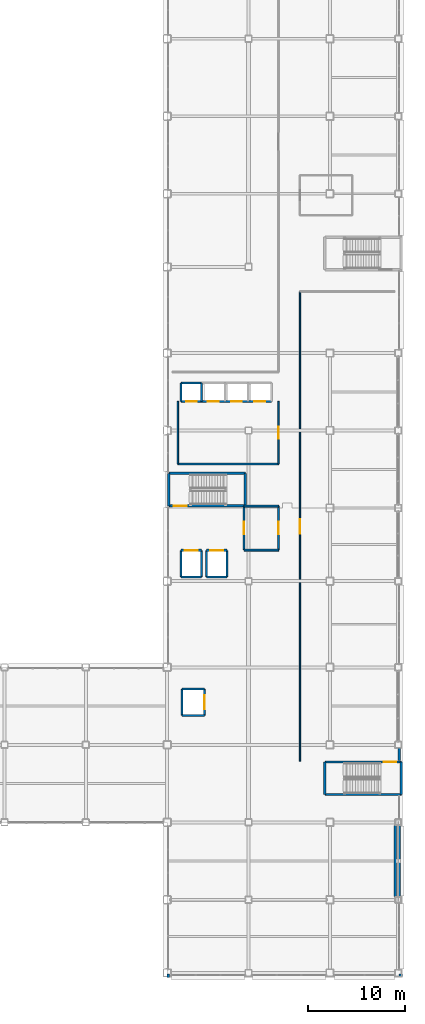
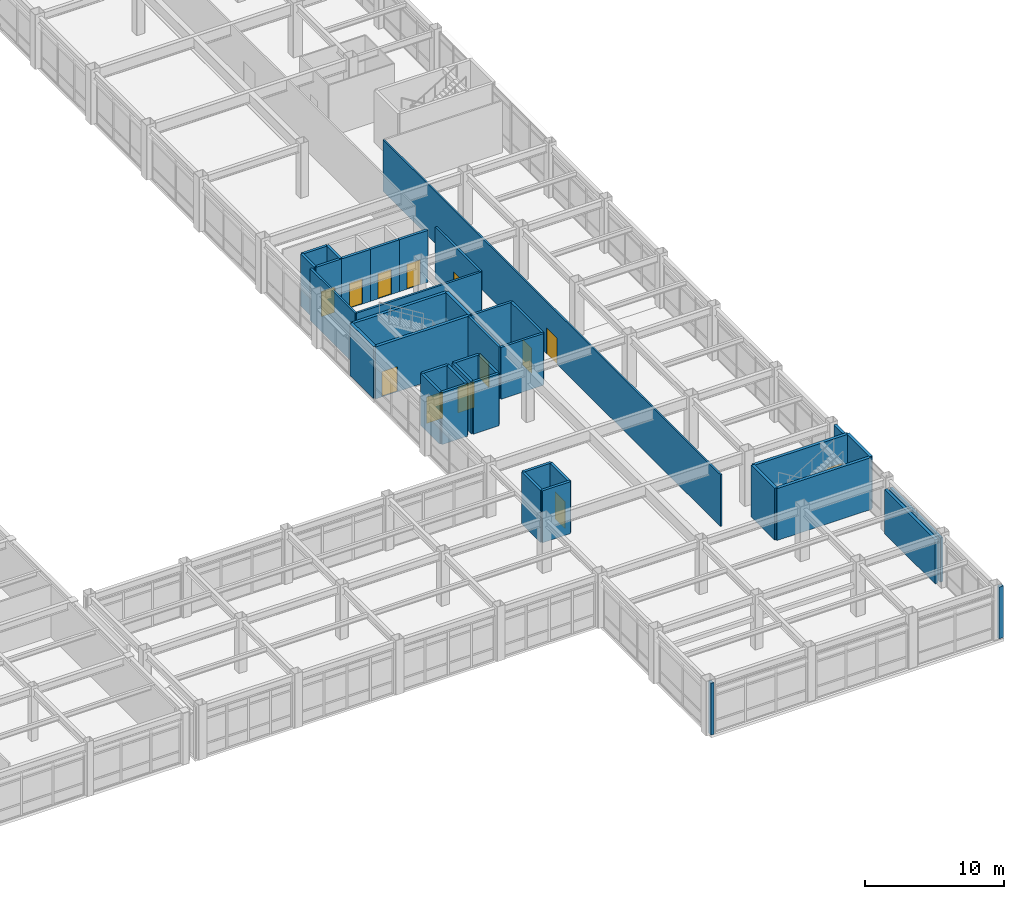
# One storey, part 136 of 154: 40 walls, 13 doors, 13 openings.
"""IFC4 building model written with IfcOpenShell, lengths in metres."""

from ifc_helpers import new_model, si_unit, direction, frame, frame_2d, origin, place, context, subcontext, project, spatial, rectangle, extrude, material, layer, layer_set, type_object, element, fill, save


model = new_model("IFC4")

# Units and contexts
model_context = context("Model", 3, precision=1e-05, world=origin(), true_north=direction((0.0, 1.0)))
body_context = subcontext(model_context, "Body", "Model", "MODEL_VIEW")
ifc_project = project(units=[si_unit("LENGTHUNIT", "METRE"), si_unit("AREAUNIT", "SQUARE_METRE"), si_unit("VOLUMEUNIT", "CUBIC_METRE"), si_unit("PLANEANGLEUNIT", "RADIAN"), si_unit("MASSUNIT", "GRAM", prefix="KILO")], contexts=[model_context])

# Site, building, storey
site_placement = place(None, origin())
site = spatial("IfcSite", under=ifc_project, at=site_placement, CompositionType="ELEMENT")
building_placement = place(site_placement, origin())
building = spatial("IfcBuilding", under=site, at=building_placement, Name="Kazehara Bluff Congress Hotel", CompositionType="ELEMENT")
storey_placement = place(building_placement, frame((0.0, 0.0, 10.199951171875)))
storey = spatial("IfcBuildingStorey", under=building, at=storey_placement, Name="L02", CompositionType="ELEMENT", Elevation=10.199951171875)

# Walls
ifc_material_1 = material(Name="Concrete C40/50", Category="concrete")
ifc_layer_1 = layer(ifc_material_1, 0.25)
ifc_layer_set_1 = layer_set([ifc_layer_1], Name="Concrete C40/50")
wall_type_1 = type_object("IfcWallType", Name="TP-CW-RC", PredefinedType="SHEAR", material=ifc_layer_set_1)
for number, where, z_axis, x_axis, name in (
    (1, (167.875, 22.22509765625, 0.0), (0.0, 0.0, 1.0), (0.0, -1.0, 0.0), "L02 ST-10 core wall near"),
    (2, (159.97509765625, 18.875, 0.0), (0.0, 0.0, 1.0), (0.0, 1.0, 0.0), "L02 ST-10 core wall far"),
):
    element("IfcWall", number, at=place(storey_placement, frame(where, z_axis=z_axis, x_axis=x_axis)), inside=storey, type_object=wall_type_1, Name=name, PredefinedType="SHEAR", context=body_context, shape_type="SweptSolid", body=[
        extrude(rectangle(XDim=3.35009765625, YDim=0.25, at=frame_2d((1.675048828125, 0.0))), origin(), (0.0, 0.0, 1.0), 4.56005859375),
    ])

# Wall, opening, door
wall_1_placement = place(storey_placement, frame((159.97509765625, 22.22509765625, 0.0), z_axis=(0.0, 0.0, 1.0), x_axis=(1.0, 0.0, 0.0)))
wall_1 = element("IfcWall", 3, at=wall_1_placement, inside=storey, type_object=wall_type_1, Name="L02 ST-10 core wall left", PredefinedType="SHEAR", context=body_context, shape_type="SweptSolid", body=[
    extrude(rectangle(XDim=7.89990234375, YDim=0.25, at=frame_2d((3.949951171875, 0.0))), origin(), (0.0, 0.0, 1.0), 4.56005859375),
])
opening_1_placement = place(wall_1_placement, frame((6.074951171875, 0.0, 0.0)))
opening_1 = element("IfcOpeningElement", 4, at=opening_1_placement, cuts=wall_1, Name="Opening FD-01", PredefinedType="OPENING", context=body_context, shape_type="SweptSolid", body=[
    extrude(rectangle(XDim=1.300048828125, YDim=2.199951171875, at=frame_2d((0.64990234375, 1.10009765625))), frame((0.0, 0.135009765625, 0.0), z_axis=(0.0, -1.0, 0.0), x_axis=(1.0, 0.0, 0.0)), (0.0, 0.0, 1.0), 0.27001953125),
])
ifc_material_2 = material(Name="Fire-rated painted steel leaf", Category="steel")
door_type_1 = type_object("IfcDoorType", Name="TP-FD-01", OperationType="NOTDEFINED", PredefinedType="DOOR", material=ifc_material_2)
door_1_placement = place(opening_1_placement, origin())
door_1 = element("IfcDoor", 5, at=door_1_placement, inside=storey, type_object=door_type_1, Name="L02 ST-10 fire stair door", OperationType="SINGLE_SWING_RIGHT", OverallHeight=2.199951171875, OverallWidth=1.300048828125, PredefinedType="DOOR", context=body_context, shape_type="SweptSolid", body=[
    extrude(rectangle(XDim=1.300048828125, YDim=2.199951171875, at=frame_2d((0.64990234375, 1.10009765625))), frame((0.0, 0.02490234375, 0.0), z_axis=(0.0, -1.0, 0.0), x_axis=(1.0, 0.0, 0.0)), (0.0, 0.0, 1.0), 0.050048828125),
])
fill(opening_1, door_1)

# Walls
wall_2_placement = place(storey_placement, frame((167.875, 18.875, 0.0), z_axis=(0.0, 0.0, 1.0), x_axis=(-1.0, 0.0, 0.0)))
element("IfcWall", 6, at=wall_2_placement, inside=storey, type_object=wall_type_1, Name="L02 ST-10 core wall right", PredefinedType="SHEAR", context=body_context, shape_type="SweptSolid", body=[
    extrude(rectangle(XDim=7.89990234375, YDim=0.25, at=frame_2d((3.949951171875, 0.0))), origin(), (0.0, 0.0, 1.0), 4.56005859375),
])
for number, where, z_axis, x_axis, name in (
    (7, (143.875, 48.675048828125, 0.0), (0.0, 0.0, 1.0), (0.0, 1.0, 0.0), "L02 ST-11 core wall near"),
    (8, (151.77490234375, 52.02490234375, 0.0), (0.0, 0.0, 1.0), (0.0, -1.0, 0.0), "L02 ST-11 core wall far"),
):
    element("IfcWall", number, at=place(storey_placement, frame(where, z_axis=z_axis, x_axis=x_axis)), inside=storey, type_object=wall_type_1, Name=name, PredefinedType="SHEAR", context=body_context, shape_type="SweptSolid", body=[
        extrude(rectangle(XDim=3.349853515625, YDim=0.25, at=frame_2d((1.6748046875, 0.0))), origin(), (0.0, 0.0, 1.0), 4.56005859375),
    ])

# Wall, opening, door
wall_3_placement = place(storey_placement, frame((151.77490234375, 48.675048828125, 0.0), z_axis=(0.0, 0.0, 1.0), x_axis=(-1.0, 0.0, 0.0)))
wall_3 = element("IfcWall", 9, at=wall_3_placement, inside=storey, type_object=wall_type_1, Name="L02 ST-11 core wall left", PredefinedType="SHEAR", context=body_context, shape_type="SweptSolid", body=[
    extrude(rectangle(XDim=7.89990234375, YDim=0.25, at=frame_2d((3.949951171875, 0.0))), origin(), (0.0, 0.0, 1.0), 4.56005859375),
])
opening_2_placement = place(wall_3_placement, frame((6.074951171875, 0.0, 0.0)))
opening_2 = element("IfcOpeningElement", 10, at=opening_2_placement, cuts=wall_3, Name="Opening FD-01", PredefinedType="OPENING", context=body_context, shape_type="SweptSolid", body=[
    extrude(rectangle(XDim=1.300048828125, YDim=2.199951171875, at=frame_2d((0.64990234375, 1.10009765625))), frame((0.0, 0.135009765625, 0.0), z_axis=(0.0, -1.0, 0.0), x_axis=(1.0, 0.0, 0.0)), (0.0, 0.0, 1.0), 0.27001953125),
])
door_2_placement = place(opening_2_placement, origin())
door_2 = element("IfcDoor", 11, at=door_2_placement, inside=storey, type_object=door_type_1, Name="L02 ST-11 fire stair door", OperationType="SINGLE_SWING_LEFT", OverallHeight=2.199951171875, OverallWidth=1.300048828125, PredefinedType="DOOR", context=body_context, shape_type="SweptSolid", body=[
    extrude(rectangle(XDim=1.300048828125, YDim=2.199951171875, at=frame_2d((0.64990234375, 1.10009765625))), frame((0.0, 0.02490234375, 0.0), z_axis=(0.0, -1.0, 0.0), x_axis=(1.0, 0.0, 0.0)), (0.0, 0.0, 1.0), 0.050048828125),
])
fill(opening_2, door_2)

# Walls
wall_4_placement = place(storey_placement, frame((143.875, 52.02490234375, 0.0), z_axis=(0.0, 0.0, 1.0), x_axis=(1.0, 0.0, 0.0)))
element("IfcWall", 12, at=wall_4_placement, inside=storey, type_object=wall_type_1, Name="L02 ST-11 core wall right", PredefinedType="SHEAR", context=body_context, shape_type="SweptSolid", body=[
    extrude(rectangle(XDim=7.89990234375, YDim=0.25, at=frame_2d((3.949951171875, 0.0))), origin(), (0.0, 0.0, 1.0), 4.56005859375),
])
ifc_material_3 = material(Name="Precast concrete C40/50", Category="concrete")
ifc_layer_2 = layer(ifc_material_3, 0.239990234375)
ifc_layer_set_2 = layer_set([ifc_layer_2], Name="Precast concrete C40/50")
wall_type_2 = type_object("IfcWallType", Name="TP-EW-240", PredefinedType="SOLIDWALL", material=ifc_layer_set_2)
wall_5_placement = place(storey_placement, frame((167.22998046875, 8.35009765625, 0.0), z_axis=(0.0, 0.0, 1.0), x_axis=(0.0, 1.0, 0.0)))
element("IfcWall", 13, at=wall_5_placement, inside=storey, type_object=wall_type_2, Name="L02 braced-bay recessed facade wall 2", PredefinedType="SOLIDWALL", context=body_context, shape_type="SweptSolid", body=[
    extrude(rectangle(XDim=7.2998046875, YDim=0.239990234375, at=frame_2d((3.64990234375, 0.0))), origin(), (0.0, 0.0, 1.0), 3.885009765625),
])
wall_6_placement = place(storey_placement, frame((168.0, 0.219970703125, 0.0), z_axis=(0.0, 0.0, 1.0), x_axis=(-1.0, 0.0, 0.0)))
element("IfcWall", 14, at=wall_6_placement, inside=storey, type_object=wall_type_2, Name="L02 V5 perimeter spandrel pier 662", PredefinedType="SOLIDWALL", context=body_context, shape_type="SweptSolid", body=[
    extrude(rectangle(XDim=0.360107421875, YDim=0.239990234375, at=frame_2d((0.18017578125, 0.0))), origin(), (0.0, 0.0, 1.0), 4.545166015625),
])
wall_7_placement = place(storey_placement, frame((167.64990234375, 15.64990234375, 0.0), z_axis=(0.0, 0.0, 1.0), x_axis=(0.0, -1.0, 0.0)))
element("IfcWall", 15, at=wall_7_placement, inside=storey, type_object=wall_type_2, Name="L02 V5 perimeter spandrel pier 663", PredefinedType="SOLIDWALL", context=body_context, shape_type="SweptSolid", body=[
    extrude(rectangle(XDim=7.2998046875, YDim=0.239990234375, at=frame_2d((3.64990234375, 0.0))), origin(), (0.0, 0.0, 1.0), 3.885009765625),
])
wall_8_placement = place(storey_placement, frame((167.64990234375, 23.64990234375, 0.0), z_axis=(0.0, 0.0, 1.0), x_axis=(0.0, -1.0, 0.0)))
element("IfcWall", 16, at=wall_8_placement, inside=storey, type_object=wall_type_2, Name="L02 V5 perimeter spandrel pier 664", PredefinedType="SOLIDWALL", context=body_context, shape_type="SweptSolid", body=[
    extrude(rectangle(XDim=1.289794921875, YDim=0.239990234375, at=frame_2d((0.64501953125, 0.0))), origin(), (0.0, 0.0, 1.0), 4.545166015625),
])
wall_9_placement = place(storey_placement, frame((143.800048828125, 0.0, 0.0), z_axis=(0.0, 0.0, 1.0), x_axis=(0.0, 1.0, 0.0)))
element("IfcWall", 17, at=wall_9_placement, inside=storey, type_object=wall_type_2, Name="L02 V5 perimeter spandrel pier 671", PredefinedType="SOLIDWALL", context=body_context, shape_type="SweptSolid", body=[
    extrude(rectangle(XDim=0.360107421875, YDim=0.239990234375, at=frame_2d((0.18017578125, 0.0))), origin(), (0.0, 0.0, 1.0), 4.545166015625),
])
ifc_material_4 = material(Name="Concrete C40/50", Category="concrete")
ifc_layer_3 = layer(ifc_material_4, 0.199951171875)
ifc_layer_set_3 = layer_set([ifc_layer_3], Name="Concrete C40/50")
wall_type_3 = type_object("IfcWallType", Name="TP-FW-RC", PredefinedType="SOLIDWALL", material=ifc_layer_set_3)
for number, where, z_axis, x_axis, name in (
    (18, (151.64990234375, 44.10009765625, 0.0), (0.0, 0.0, 1.0), (1.0, 0.0, 0.0), "L02 partition FW-RC 202"),
    (19, (151.64990234375, 48.64990234375, 0.0), (0.0, 0.0, 1.0), (1.0, 0.0, 0.0), "L02 partition FW-RC 204"),
):
    element("IfcWall", number, at=place(storey_placement, frame(where, z_axis=z_axis, x_axis=x_axis)), inside=storey, type_object=wall_type_3, Name=name, PredefinedType="SOLIDWALL", context=body_context, shape_type="SweptSolid", body=[
        extrude(rectangle(XDim=3.550048828125, YDim=0.199951171875, at=frame_2d((1.77490234375, 0.0))), origin(), (0.0, 0.0, 1.0), 4.545166015625),
    ])

# Wall, opening, door
wall_10_placement = place(storey_placement, frame((151.64990234375, 44.10009765625, 0.0), z_axis=(0.0, 0.0, 1.0), x_axis=(0.0, 1.0, 0.0)))
wall_10 = element("IfcWall", 20, at=wall_10_placement, inside=storey, type_object=wall_type_3, Name="L02 partition FW-RC 239", PredefinedType="SOLIDWALL", context=body_context, shape_type="SweptSolid", body=[
    extrude(rectangle(XDim=4.5498046875, YDim=0.199951171875, at=frame_2d((2.27490234375, 0.0))), origin(), (0.0, 0.0, 1.0), 4.545166015625),
])
opening_3_placement = place(wall_10_placement, frame((1.625, 0.0, 0.0)))
opening_3 = element("IfcOpeningElement", 21, at=opening_3_placement, cuts=wall_10, Name="Opening FD-01", PredefinedType="OPENING", context=body_context, shape_type="SweptSolid", body=[
    extrude(rectangle(XDim=1.300048828125, YDim=2.199951171875, at=frame_2d((0.64990234375, 1.10009765625))), frame((0.0, 0.10986328125, 0.0), z_axis=(0.0, -1.0, 0.0), x_axis=(1.0, 0.0, 0.0)), (0.0, 0.0, 1.0), 0.219970703125),
])
door_3_placement = place(opening_3_placement, origin())
door_3 = element("IfcDoor", 22, at=door_3_placement, inside=storey, type_object=door_type_1, Name="L02 Emergency Firefighting Lobby door", OperationType="SINGLE_SWING_LEFT", OverallHeight=2.199951171875, OverallWidth=1.300048828125, PredefinedType="DOOR", context=body_context, shape_type="SweptSolid", body=[
    extrude(rectangle(XDim=1.300048828125, YDim=2.199951171875, at=frame_2d((0.64990234375, 1.10009765625))), frame((0.0, 0.02490234375, 0.0), z_axis=(0.0, -1.0, 0.0), x_axis=(1.0, 0.0, 0.0)), (0.0, 0.0, 1.0), 0.050048828125),
])
fill(opening_3, door_3)

wall_11_placement = place(storey_placement, frame((155.199951171875, 44.10009765625, 0.0), z_axis=(0.0, 0.0, 1.0), x_axis=(0.0, 1.0, 0.0)))
wall_11 = element("IfcWall", 23, at=wall_11_placement, inside=storey, type_object=wall_type_3, Name="L02 partition FW-RC 240", PredefinedType="SOLIDWALL", context=body_context, shape_type="SweptSolid", body=[
    extrude(rectangle(XDim=4.5498046875, YDim=0.199951171875, at=frame_2d((2.27490234375, 0.0))), origin(), (0.0, 0.0, 1.0), 4.545166015625),
])
opening_4_placement = place(wall_11_placement, frame((1.625, 0.0, 0.0)))
opening_4 = element("IfcOpeningElement", 24, at=opening_4_placement, cuts=wall_11, Name="Opening FD-01", PredefinedType="OPENING", context=body_context, shape_type="SweptSolid", body=[
    extrude(rectangle(XDim=1.300048828125, YDim=2.199951171875, at=frame_2d((0.64990234375, 1.10009765625))), frame((0.0, 0.10986328125, 0.0), z_axis=(0.0, -1.0, 0.0), x_axis=(1.0, 0.0, 0.0)), (0.0, 0.0, 1.0), 0.219970703125),
])
door_4_placement = place(opening_4_placement, origin())
door_4 = element("IfcDoor", 25, at=door_4_placement, inside=storey, type_object=door_type_1, Name="L02 Smoke Vestibule Lobby door", OperationType="SINGLE_SWING_RIGHT", OverallHeight=2.199951171875, OverallWidth=1.300048828125, PredefinedType="DOOR", context=body_context, shape_type="SweptSolid", body=[
    extrude(rectangle(XDim=1.300048828125, YDim=2.199951171875, at=frame_2d((0.64990234375, 1.10009765625))), frame((0.0, 0.02490234375, 0.0), z_axis=(0.0, -1.0, 0.0), x_axis=(1.0, 0.0, 0.0)), (0.0, 0.0, 1.0), 0.050048828125),
])
fill(opening_4, door_4)

ifc_material_5 = material(Name="Fire-rated gypsum board stud partition")
ifc_layer_4 = layer(ifc_material_5, 0.1298828125)
ifc_layer_set_4 = layer_set([ifc_layer_4], Name="Fire-rated gypsum board stud partition")
wall_type_4 = type_object("IfcWallType", Name="TP-PT-130", PredefinedType="PARTITIONING", material=ifc_layer_set_4)
wall_12_placement = place(storey_placement, frame((157.39990234375, 22.300048828125, 0.0), z_axis=(0.0, 0.0, 1.0), x_axis=(0.0, 1.0, 0.0)))
wall_12 = element("IfcWall", 26, at=wall_12_placement, inside=storey, type_object=wall_type_4, Name="L02 partition PT-130 243", PredefinedType="PARTITIONING", context=body_context, shape_type="SweptSolid", body=[
    extrude(rectangle(XDim=48.5, YDim=0.1298828125, at=frame_2d((24.25, 0.0))), origin(), (0.0, 0.0, 1.0), 4.545166015625),
])
opening_5_placement = place(wall_12_placement, frame((23.5, 0.0, 0.0)))
opening_5 = element("IfcOpeningElement", 27, at=opening_5_placement, cuts=wall_12, Name="Opening AD-01", PredefinedType="OPENING", context=body_context, shape_type="SweptSolid", body=[
    extrude(rectangle(XDim=1.5, YDim=2.300048828125, at=frame_2d((0.75, 1.14990234375))), frame((0.0, 0.074951171875, 0.0), z_axis=(0.0, -1.0, 0.0), x_axis=(1.0, 0.0, 0.0)), (0.0, 0.0, 1.0), 0.14990234375),
])
ifc_material_6 = material(Name="Architectural oak veneer leaf")
door_type_2 = type_object("IfcDoorType", Name="TP-AD-01", OperationType="DOUBLE_DOOR_SINGLE_SWING", PredefinedType="DOOR", material=ifc_material_6)
door_5_placement = place(opening_5_placement, origin())
door_5 = element("IfcDoor", 28, at=door_5_placement, inside=storey, type_object=door_type_2, Name="L02 Delegate Business and Press Lounge door", OperationType="DOUBLE_DOOR_SINGLE_SWING", OverallHeight=2.300048828125, OverallWidth=1.5, PredefinedType="DOOR", context=body_context, shape_type="SweptSolid", body=[
    extrude(rectangle(XDim=1.5, YDim=2.300048828125, at=frame_2d((0.75, 1.14990234375))), frame((0.0, 0.02490234375, 0.0), z_axis=(0.0, -1.0, 0.0), x_axis=(1.0, 0.0, 0.0)), (0.0, 0.0, 1.0), 0.050048828125),
])
fill(opening_5, door_5)

# Walls
ifc_material_7 = material(Name="Fire-rated gypsum board stud partition")
ifc_layer_5 = layer(ifc_material_7, 0.169921875)
ifc_layer_set_5 = layer_set([ifc_layer_5], Name="Fire-rated gypsum board stud partition")
wall_type_5 = type_object("IfcWallType", Name="TP-PT-180", PredefinedType="PARTITIONING", material=ifc_layer_set_5)
wall_13_placement = place(storey_placement, frame((144.800048828125, 53.0, 0.0), z_axis=(0.0, 0.0, 1.0), x_axis=(1.0, 0.0, 0.0)))
element("IfcWall", 29, at=wall_13_placement, inside=storey, type_object=wall_type_5, Name="L02 partition PT-180 206", PredefinedType="PARTITIONING", context=body_context, shape_type="SweptSolid", body=[
    extrude(rectangle(XDim=10.39990234375, YDim=0.169921875, at=frame_2d((5.199951171875, 0.0))), origin(), (0.0, 0.0, 1.0), 4.545166015625),
])
wall_14_placement = place(storey_placement, frame((144.800048828125, 53.0, 0.0), z_axis=(0.0, 0.0, 1.0), x_axis=(0.0, 1.0, 0.0)))
element("IfcWall", 30, at=wall_14_placement, inside=storey, type_object=wall_type_5, Name="L02 partition PT-180 238", PredefinedType="PARTITIONING", context=body_context, shape_type="SweptSolid", body=[
    extrude(rectangle(XDim=6.449951171875, YDim=0.169921875, at=frame_2d((3.22509765625, 0.0))), origin(), (0.0, 0.0, 1.0), 4.545166015625),
])

# Wall, opening, door
wall_15_placement = place(storey_placement, frame((155.199951171875, 53.0, 0.0), z_axis=(0.0, 0.0, 1.0), x_axis=(0.0, 1.0, 0.0)))
wall_15 = element("IfcWall", 31, at=wall_15_placement, inside=storey, type_object=wall_type_5, Name="L02 partition PT-180 241", PredefinedType="PARTITIONING", context=body_context, shape_type="SweptSolid", body=[
    extrude(rectangle(XDim=6.449951171875, YDim=0.169921875, at=frame_2d((3.22509765625, 0.0))), origin(), (0.0, 0.0, 1.0), 4.545166015625),
])
opening_6_placement = place(wall_15_placement, frame((2.625, 0.0, 0.0)))
opening_6 = element("IfcOpeningElement", 32, at=opening_6_placement, cuts=wall_15, Name="Opening FD-02", PredefinedType="OPENING", context=body_context, shape_type="SweptSolid", body=[
    extrude(rectangle(XDim=1.199951171875, YDim=2.199951171875, at=frame_2d((0.60009765625, 1.10009765625))), frame((0.0, 0.094970703125, 0.0), z_axis=(0.0, -1.0, 0.0), x_axis=(1.0, 0.0, 0.0)), (0.0, 0.0, 1.0), 0.18994140625),
])
ifc_material_8 = material(Name="Fire-rated painted steel leaf", Category="steel")
door_type_3 = type_object("IfcDoorType", Name="TP-FD-02", OperationType="NOTDEFINED", PredefinedType="DOOR", material=ifc_material_8)
door_6_placement = place(opening_6_placement, origin())
door_6 = element("IfcDoor", 33, at=door_6_placement, inside=storey, type_object=door_type_3, Name="L02 Hotel Passenger Lift Lobby door", OperationType="SINGLE_SWING_LEFT", OverallHeight=2.199951171875, OverallWidth=1.199951171875, PredefinedType="DOOR", context=body_context, shape_type="SweptSolid", body=[
    extrude(rectangle(XDim=1.199951171875, YDim=2.199951171875, at=frame_2d((0.60009765625, 1.10009765625))), frame((0.0, 0.02490234375, 0.0), z_axis=(0.0, -1.0, 0.0), x_axis=(1.0, 0.0, 0.0)), (0.0, 0.0, 1.0), 0.050048828125),
])
fill(opening_6, door_6)

ifc_material_9 = material(Name="Concrete C40/50", Category="concrete")
ifc_layer_6 = layer(ifc_material_9, 0.219970703125)
ifc_layer_set_6 = layer_set([ifc_layer_6], Name="Concrete C40/50")
wall_type_6 = type_object("IfcWallType", Name="TP-SW-RC", PredefinedType="SHEAR", material=ifc_layer_set_6)
wall_16_placement = place(storey_placement, frame((145.139892578125, 44.0849609375, 0.0), z_axis=(0.0, 0.0, 1.0), x_axis=(1.0, 0.0, 0.0)))
wall_16 = element("IfcWall", 34, at=wall_16_placement, inside=storey, type_object=wall_type_6, Name="L02 EL-E1 lift shaft wall +Y", PredefinedType="SHEAR", context=body_context, shape_type="SweptSolid", body=[
    extrude(rectangle(XDim=2.1201171875, YDim=0.219970703125, at=frame_2d((1.06005859375, 0.0))), origin(), (0.0, 0.0, 1.0), 4.56005859375),
])
opening_7_placement = place(wall_16_placement, frame((0.385009765625, 0.0, 0.0)))
opening_7 = element("IfcOpeningElement", 35, at=opening_7_placement, cuts=wall_16, Name="Opening LD-03", PredefinedType="OPENING", context=body_context, shape_type="SweptSolid", body=[
    extrude(rectangle(XDim=1.35009765625, YDim=2.300048828125, at=frame_2d((0.675048828125, 1.14990234375))), frame((0.0, 0.119873046875, 0.0), z_axis=(0.0, -1.0, 0.0), x_axis=(1.0, 0.0, 0.0)), (0.0, 0.0, 1.0), 0.239990234375),
])
ifc_material_10 = material(Name="Fire-rated painted steel leaf", Category="steel")
door_type_4 = type_object("IfcDoorType", Name="TP-LD-03", OperationType="SLIDING_TO_LEFT", PredefinedType="DOOR", material=ifc_material_10)
door_7_placement = place(opening_7_placement, origin())
door_7 = element("IfcDoor", 36, at=door_7_placement, inside=storey, type_object=door_type_4, Name="L02 EL-E1 elevator landing door", OperationType="SLIDING_TO_LEFT", OverallHeight=2.300048828125, OverallWidth=1.35009765625, PredefinedType="DOOR", context=body_context, shape_type="SweptSolid", body=[
    extrude(rectangle(XDim=1.35009765625, YDim=2.300048828125, at=frame_2d((0.675048828125, 1.14990234375))), frame((0.0, 0.02490234375, 0.0), z_axis=(0.0, -1.0, 0.0), x_axis=(1.0, 0.0, 0.0)), (0.0, 0.0, 1.0), 0.050048828125),
])
fill(opening_7, door_7)

# Walls
wall_17_placement = place(storey_placement, frame((145.139892578125, 41.31494140625, 0.0), z_axis=(0.0, 0.0, 1.0), x_axis=(1.0, 0.0, 0.0)))
element("IfcWall", 37, at=wall_17_placement, inside=storey, type_object=wall_type_6, Name="L02 EL-E1 lift shaft wall -Y", PredefinedType="SHEAR", context=body_context, shape_type="SweptSolid", body=[
    extrude(rectangle(XDim=2.1201171875, YDim=0.219970703125, at=frame_2d((1.06005859375, 0.0))), origin(), (0.0, 0.0, 1.0), 4.56005859375),
])
for number, where, z_axis, x_axis, name in (
    (38, (147.260009765625, 41.31494140625, 0.0), (0.0, 0.0, 1.0), (0.0, 1.0, 0.0), "L02 EL-E1 lift shaft wall +X"),
    (39, (145.139892578125, 41.31494140625, 0.0), (0.0, 0.0, 1.0), (0.0, 1.0, 0.0), "L02 EL-E1 lift shaft wall -X"),
):
    element("IfcWall", number, at=place(storey_placement, frame(where, z_axis=z_axis, x_axis=x_axis)), inside=storey, type_object=wall_type_6, Name=name, PredefinedType="SHEAR", context=body_context, shape_type="SweptSolid", body=[
        extrude(rectangle(XDim=2.77001953125, YDim=0.219970703125, at=frame_2d((1.385009765625, 0.0))), origin(), (0.0, 0.0, 1.0), 4.56005859375),
    ])

# Wall, opening, door
wall_18_placement = place(storey_placement, frame((147.739990234375, 44.0849609375, 0.0), z_axis=(0.0, 0.0, 1.0), x_axis=(1.0, 0.0, 0.0)))
wall_18 = element("IfcWall", 40, at=wall_18_placement, inside=storey, type_object=wall_type_6, Name="L02 EL-E2 lift shaft wall +Y", PredefinedType="SHEAR", context=body_context, shape_type="SweptSolid", body=[
    extrude(rectangle(XDim=2.1201171875, YDim=0.219970703125, at=frame_2d((1.06005859375, 0.0))), origin(), (0.0, 0.0, 1.0), 4.56005859375),
])
opening_8_placement = place(wall_18_placement, frame((0.385009765625, 0.0, 0.0)))
opening_8 = element("IfcOpeningElement", 41, at=opening_8_placement, cuts=wall_18, Name="Opening LD-03", PredefinedType="OPENING", context=body_context, shape_type="SweptSolid", body=[
    extrude(rectangle(XDim=1.35009765625, YDim=2.300048828125, at=frame_2d((0.675048828125, 1.14990234375))), frame((0.0, 0.119873046875, 0.0), z_axis=(0.0, -1.0, 0.0), x_axis=(1.0, 0.0, 0.0)), (0.0, 0.0, 1.0), 0.239990234375),
])
door_8_placement = place(opening_8_placement, origin())
door_8 = element("IfcDoor", 42, at=door_8_placement, inside=storey, type_object=door_type_4, Name="L02 EL-E2 elevator landing door", OperationType="SLIDING_TO_LEFT", OverallHeight=2.300048828125, OverallWidth=1.35009765625, PredefinedType="DOOR", context=body_context, shape_type="SweptSolid", body=[
    extrude(rectangle(XDim=1.35009765625, YDim=2.300048828125, at=frame_2d((0.675048828125, 1.14990234375))), frame((0.0, 0.02490234375, 0.0), z_axis=(0.0, -1.0, 0.0), x_axis=(1.0, 0.0, 0.0)), (0.0, 0.0, 1.0), 0.050048828125),
])
fill(opening_8, door_8)

# Walls
wall_19_placement = place(storey_placement, frame((147.739990234375, 41.31494140625, 0.0), z_axis=(0.0, 0.0, 1.0), x_axis=(1.0, 0.0, 0.0)))
element("IfcWall", 43, at=wall_19_placement, inside=storey, type_object=wall_type_6, Name="L02 EL-E2 lift shaft wall -Y", PredefinedType="SHEAR", context=body_context, shape_type="SweptSolid", body=[
    extrude(rectangle(XDim=2.1201171875, YDim=0.219970703125, at=frame_2d((1.06005859375, 0.0))), origin(), (0.0, 0.0, 1.0), 4.56005859375),
])
for number, where, z_axis, x_axis, name in (
    (44, (149.860107421875, 41.31494140625, 0.0), (0.0, 0.0, 1.0), (0.0, 1.0, 0.0), "L02 EL-E2 lift shaft wall +X"),
    (45, (147.739990234375, 41.31494140625, 0.0), (0.0, 0.0, 1.0), (0.0, 1.0, 0.0), "L02 EL-E2 lift shaft wall -X"),
):
    element("IfcWall", number, at=place(storey_placement, frame(where, z_axis=z_axis, x_axis=x_axis)), inside=storey, type_object=wall_type_6, Name=name, PredefinedType="SHEAR", context=body_context, shape_type="SweptSolid", body=[
        extrude(rectangle(XDim=2.77001953125, YDim=0.219970703125, at=frame_2d((1.385009765625, 0.0))), origin(), (0.0, 0.0, 1.0), 4.56005859375),
    ])
wall_20_placement = place(storey_placement, frame((145.139892578125, 61.360107421875, 0.0), z_axis=(0.0, 0.0, 1.0), x_axis=(1.0, 0.0, 0.0)))
element("IfcWall", 46, at=wall_20_placement, inside=storey, type_object=wall_type_6, Name="L02 EL-P1 lift shaft wall +Y", PredefinedType="SHEAR", context=body_context, shape_type="SweptSolid", body=[
    extrude(rectangle(XDim=2.1201171875, YDim=0.219970703125, at=frame_2d((1.06005859375, 0.0))), origin(), (0.0, 0.0, 1.0), 4.56005859375),
])

# Wall, opening, door
wall_21_placement = place(storey_placement, frame((145.139892578125, 59.43994140625, 0.0), z_axis=(0.0, 0.0, 1.0), x_axis=(1.0, 0.0, 0.0)))
wall_21 = element("IfcWall", 47, at=wall_21_placement, inside=storey, type_object=wall_type_6, Name="L02 EL-P1 lift shaft wall -Y", PredefinedType="SHEAR", context=body_context, shape_type="SweptSolid", body=[
    extrude(rectangle(XDim=2.1201171875, YDim=0.219970703125, at=frame_2d((1.06005859375, 0.0))), origin(), (0.0, 0.0, 1.0), 4.56005859375),
])
opening_9_placement = place(wall_21_placement, frame((0.510009765625, 0.0, 0.0)))
opening_9 = element("IfcOpeningElement", 48, at=opening_9_placement, cuts=wall_21, Name="Opening LD-01", PredefinedType="OPENING", context=body_context, shape_type="SweptSolid", body=[
    extrude(rectangle(XDim=1.10009765625, YDim=2.199951171875, at=frame_2d((0.550048828125, 1.10009765625))), frame((0.0, 0.119873046875, 0.0), z_axis=(0.0, -1.0, 0.0), x_axis=(1.0, 0.0, 0.0)), (0.0, 0.0, 1.0), 0.239990234375),
])
ifc_material_11 = material(Name="Fire-rated painted steel leaf", Category="steel")
door_type_5 = type_object("IfcDoorType", Name="TP-LD-01", OperationType="SLIDING_TO_LEFT", PredefinedType="DOOR", material=ifc_material_11)
door_9_placement = place(opening_9_placement, origin())
door_9 = element("IfcDoor", 49, at=door_9_placement, inside=storey, type_object=door_type_5, Name="L02 EL-P1 elevator landing door", OperationType="SLIDING_TO_LEFT", OverallHeight=2.199951171875, OverallWidth=1.10009765625, PredefinedType="DOOR", context=body_context, shape_type="SweptSolid", body=[
    extrude(rectangle(XDim=1.10009765625, YDim=2.199951171875, at=frame_2d((0.550048828125, 1.10009765625))), frame((0.0, 0.02490234375, 0.0), z_axis=(0.0, -1.0, 0.0), x_axis=(1.0, 0.0, 0.0)), (0.0, 0.0, 1.0), 0.050048828125),
])
fill(opening_9, door_9)

# Walls
for number, where, z_axis, x_axis, name in (
    (50, (147.260009765625, 59.43994140625, 0.0), (0.0, 0.0, 1.0), (0.0, 1.0, 0.0), "L02 EL-P1 lift shaft wall +X"),
    (51, (145.139892578125, 59.43994140625, 0.0), (0.0, 0.0, 1.0), (0.0, 1.0, 0.0), "L02 EL-P1 lift shaft wall -X"),
):
    element("IfcWall", number, at=place(storey_placement, frame(where, z_axis=z_axis, x_axis=x_axis)), inside=storey, type_object=wall_type_6, Name=name, PredefinedType="SHEAR", context=body_context, shape_type="SweptSolid", body=[
        extrude(rectangle(XDim=1.920166015625, YDim=0.219970703125, at=frame_2d((0.9599609375, 0.0))), origin(), (0.0, 0.0, 1.0), 4.56005859375),
    ])

# Wall, opening, door
wall_22_placement = place(storey_placement, frame((147.260009765625, 59.43994140625, 0.0), z_axis=(0.0, 0.0, 1.0), x_axis=(1.0, 0.0, 0.0)))
wall_22 = element("IfcWall", 52, at=wall_22_placement, inside=storey, type_object=wall_type_6, Name="L02 EL-P2 lift shaft wall -Y", PredefinedType="SHEAR", context=body_context, shape_type="SweptSolid", body=[
    extrude(rectangle(XDim=2.39990234375, YDim=0.219970703125, at=frame_2d((1.199951171875, 0.0))), origin(), (0.0, 0.0, 1.0), 4.56005859375),
])
opening_10_placement = place(wall_22_placement, frame((0.64990234375, 0.0, 0.0)))
opening_10 = element("IfcOpeningElement", 53, at=opening_10_placement, cuts=wall_22, Name="Opening LD-01", PredefinedType="OPENING", context=body_context, shape_type="SweptSolid", body=[
    extrude(rectangle(XDim=1.10009765625, YDim=2.199951171875, at=frame_2d((0.550048828125, 1.10009765625))), frame((0.0, 0.119873046875, 0.0), z_axis=(0.0, -1.0, 0.0), x_axis=(1.0, 0.0, 0.0)), (0.0, 0.0, 1.0), 0.239990234375),
])
door_10_placement = place(opening_10_placement, origin())
door_10 = element("IfcDoor", 54, at=door_10_placement, inside=storey, type_object=door_type_5, Name="L02 EL-P2 elevator landing door", OperationType="SLIDING_TO_LEFT", OverallHeight=2.199951171875, OverallWidth=1.10009765625, PredefinedType="DOOR", context=body_context, shape_type="SweptSolid", body=[
    extrude(rectangle(XDim=1.10009765625, YDim=2.199951171875, at=frame_2d((0.550048828125, 1.10009765625))), frame((0.0, 0.02490234375, 0.0), z_axis=(0.0, -1.0, 0.0), x_axis=(1.0, 0.0, 0.0)), (0.0, 0.0, 1.0), 0.050048828125),
])
fill(opening_10, door_10)

wall_23_placement = place(storey_placement, frame((149.659912109375, 59.43994140625, 0.0), z_axis=(0.0, 0.0, 1.0), x_axis=(1.0, 0.0, 0.0)))
wall_23 = element("IfcWall", 55, at=wall_23_placement, inside=storey, type_object=wall_type_6, Name="L02 EL-P3 lift shaft wall -Y", PredefinedType="SHEAR", context=body_context, shape_type="SweptSolid", body=[
    extrude(rectangle(XDim=2.400146484375, YDim=0.219970703125, at=frame_2d((1.2001953125, 0.0))), origin(), (0.0, 0.0, 1.0), 4.56005859375),
])
opening_11_placement = place(wall_23_placement, frame((0.64990234375, 0.0, 0.0)))
opening_11 = element("IfcOpeningElement", 56, at=opening_11_placement, cuts=wall_23, Name="Opening LD-01", PredefinedType="OPENING", context=body_context, shape_type="SweptSolid", body=[
    extrude(rectangle(XDim=1.10009765625, YDim=2.199951171875, at=frame_2d((0.550048828125, 1.10009765625))), frame((0.0, 0.119873046875, 0.0), z_axis=(0.0, -1.0, 0.0), x_axis=(1.0, 0.0, 0.0)), (0.0, 0.0, 1.0), 0.239990234375),
])
door_11_placement = place(opening_11_placement, origin())
door_11 = element("IfcDoor", 57, at=door_11_placement, inside=storey, type_object=door_type_5, Name="L02 EL-P3 elevator landing door", OperationType="SLIDING_TO_LEFT", OverallHeight=2.199951171875, OverallWidth=1.10009765625, PredefinedType="DOOR", context=body_context, shape_type="SweptSolid", body=[
    extrude(rectangle(XDim=1.10009765625, YDim=2.199951171875, at=frame_2d((0.550048828125, 1.10009765625))), frame((0.0, 0.02490234375, 0.0), z_axis=(0.0, -1.0, 0.0), x_axis=(1.0, 0.0, 0.0)), (0.0, 0.0, 1.0), 0.050048828125),
])
fill(opening_11, door_11)

wall_24_placement = place(storey_placement, frame((152.06005859375, 59.43994140625, 0.0), z_axis=(0.0, 0.0, 1.0), x_axis=(1.0, 0.0, 0.0)))
wall_24 = element("IfcWall", 58, at=wall_24_placement, inside=storey, type_object=wall_type_6, Name="L02 EL-P4 lift shaft wall -Y", PredefinedType="SHEAR", context=body_context, shape_type="SweptSolid", body=[
    extrude(rectangle(XDim=2.39990234375, YDim=0.219970703125, at=frame_2d((1.199951171875, 0.0))), origin(), (0.0, 0.0, 1.0), 4.56005859375),
])
opening_12_placement = place(wall_24_placement, frame((0.64990234375, 0.0, 0.0)))
opening_12 = element("IfcOpeningElement", 59, at=opening_12_placement, cuts=wall_24, Name="Opening LD-01", PredefinedType="OPENING", context=body_context, shape_type="SweptSolid", body=[
    extrude(rectangle(XDim=1.10009765625, YDim=2.199951171875, at=frame_2d((0.550048828125, 1.10009765625))), frame((0.0, 0.119873046875, 0.0), z_axis=(0.0, -1.0, 0.0), x_axis=(1.0, 0.0, 0.0)), (0.0, 0.0, 1.0), 0.239990234375),
])
door_12_placement = place(opening_12_placement, origin())
door_12 = element("IfcDoor", 60, at=door_12_placement, inside=storey, type_object=door_type_5, Name="L02 EL-P4 elevator landing door", OperationType="SLIDING_TO_LEFT", OverallHeight=2.199951171875, OverallWidth=1.10009765625, PredefinedType="DOOR", context=body_context, shape_type="SweptSolid", body=[
    extrude(rectangle(XDim=1.10009765625, YDim=2.199951171875, at=frame_2d((0.550048828125, 1.10009765625))), frame((0.0, 0.02490234375, 0.0), z_axis=(0.0, -1.0, 0.0), x_axis=(1.0, 0.0, 0.0)), (0.0, 0.0, 1.0), 0.050048828125),
])
fill(opening_12, door_12)

# Walls
for number, where, z_axis, x_axis, name in (
    (61, (145.239990234375, 29.760009765625, 0.0), (0.0, 0.0, 1.0), (1.0, 0.0, 0.0), "L02 EL-S3 lift shaft wall +Y"),
    (62, (145.239990234375, 27.0400390625, 0.0), (0.0, 0.0, 1.0), (1.0, 0.0, 0.0), "L02 EL-S3 lift shaft wall -Y"),
):
    element("IfcWall", number, at=place(storey_placement, frame(where, z_axis=z_axis, x_axis=x_axis)), inside=storey, type_object=wall_type_6, Name=name, PredefinedType="SHEAR", context=body_context, shape_type="SweptSolid", body=[
        extrude(rectangle(XDim=2.320068359375, YDim=0.219970703125, at=frame_2d((1.16015625, 0.0))), origin(), (0.0, 0.0, 1.0), 4.56005859375),
    ])

# Wall, opening, door
wall_25_placement = place(storey_placement, frame((147.56005859375, 27.0400390625, 0.0), z_axis=(0.0, 0.0, 1.0), x_axis=(0.0, 1.0, 0.0)))
wall_25 = element("IfcWall", 63, at=wall_25_placement, inside=storey, type_object=wall_type_6, Name="L02 EL-S3 lift shaft wall +X", PredefinedType="SHEAR", context=body_context, shape_type="SweptSolid", body=[
    extrude(rectangle(XDim=2.719970703125, YDim=0.219970703125, at=frame_2d((1.35986328125, 0.0))), origin(), (0.0, 0.0, 1.0), 4.56005859375),
])
opening_13_placement = place(wall_25_placement, frame((0.635009765625, 0.0, 0.0)))
opening_13 = element("IfcOpeningElement", 64, at=opening_13_placement, cuts=wall_25, Name="Opening LD-04", PredefinedType="OPENING", context=body_context, shape_type="SweptSolid", body=[
    extrude(rectangle(XDim=1.449951171875, YDim=2.35009765625, at=frame_2d((0.72509765625, 1.175048828125))), frame((0.0, 0.119873046875, 0.0), z_axis=(0.0, -1.0, 0.0), x_axis=(1.0, 0.0, 0.0)), (0.0, 0.0, 1.0), 0.239990234375),
])
ifc_material_12 = material(Name="Fire-rated painted steel leaf", Category="steel")
door_type_6 = type_object("IfcDoorType", Name="TP-LD-04", OperationType="SLIDING_TO_LEFT", PredefinedType="DOOR", material=ifc_material_12)
door_13_placement = place(opening_13_placement, origin())
door_13 = element("IfcDoor", 65, at=door_13_placement, inside=storey, type_object=door_type_6, Name="L02 EL-S3 elevator landing door", OperationType="SLIDING_TO_LEFT", OverallHeight=2.35009765625, OverallWidth=1.449951171875, PredefinedType="DOOR", context=body_context, shape_type="SweptSolid", body=[
    extrude(rectangle(XDim=1.449951171875, YDim=2.35009765625, at=frame_2d((0.72509765625, 1.175048828125))), frame((0.0, 0.02490234375, 0.0), z_axis=(0.0, -1.0, 0.0), x_axis=(1.0, 0.0, 0.0)), (0.0, 0.0, 1.0), 0.050048828125),
])
fill(opening_13, door_13)

# Wall
wall_26_placement = place(storey_placement, frame((145.239990234375, 27.0400390625, 0.0), z_axis=(0.0, 0.0, 1.0), x_axis=(0.0, 1.0, 0.0)))
element("IfcWall", 66, at=wall_26_placement, inside=storey, type_object=wall_type_6, Name="L02 EL-S3 lift shaft wall -X", PredefinedType="SHEAR", context=body_context, shape_type="SweptSolid", body=[
    extrude(rectangle(XDim=2.719970703125, YDim=0.219970703125, at=frame_2d((1.35986328125, 0.0))), origin(), (0.0, 0.0, 1.0), 4.56005859375),
])

save(model, "model.ifc")
